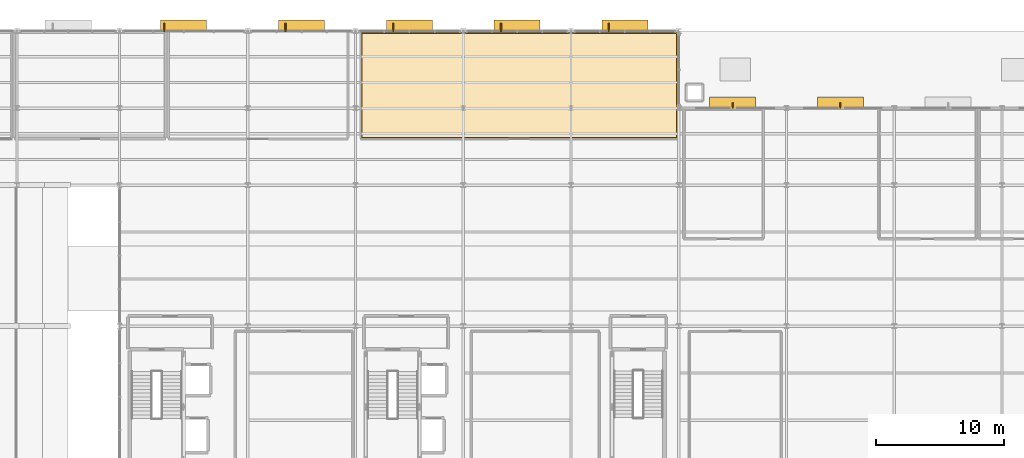
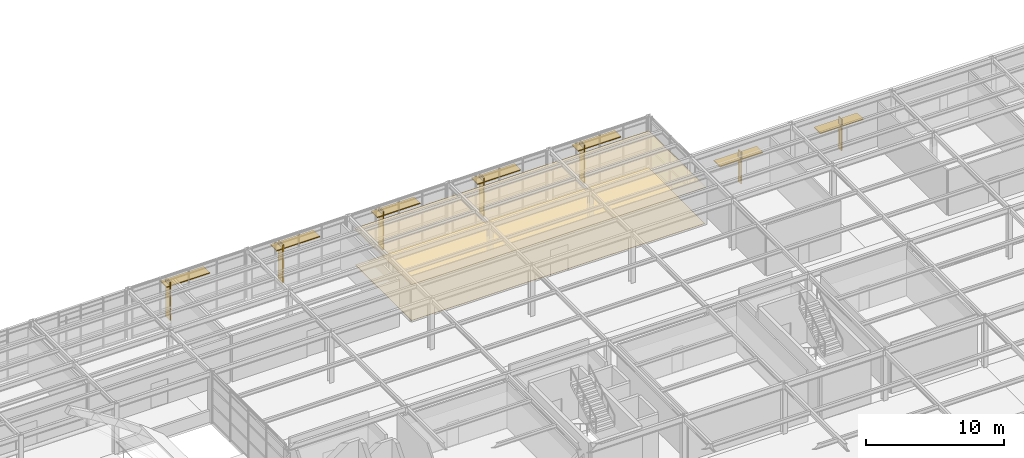
# One storey, part 80 of 82: 14 shading devices, 2 coverings.
"""IFC4 building model written with IfcOpenShell, lengths in metres."""

from ifc_helpers import new_model, si_unit, direction, frame, origin, origin_2d, place, context, subcontext, project, spatial, polyline, rectangle, outline, extrude, material, layer, layer_set, type_object, element, save


model = new_model("IFC4")

# Units and contexts
model_context = context("Model", 3, precision=1e-05, world=origin(), true_north=direction((0.0, 1.0)))
body_context = subcontext(model_context, "Body", "Model", "MODEL_VIEW")
ifc_project = project(units=[si_unit("LENGTHUNIT", "METRE"), si_unit("AREAUNIT", "SQUARE_METRE"), si_unit("VOLUMEUNIT", "CUBIC_METRE"), si_unit("PLANEANGLEUNIT", "RADIAN"), si_unit("MASSUNIT", "GRAM", prefix="KILO")], contexts=[model_context])

# Site, building, storey
site_placement = place(None, origin())
site = spatial("IfcSite", under=ifc_project, at=site_placement, CompositionType="ELEMENT")
building_placement = place(site_placement, origin())
building = spatial("IfcBuilding", under=site, at=building_placement, Name="Sitalva Quay Ferry Terminal", CompositionType="ELEMENT")
storey_placement = place(building_placement, frame((0.0, 0.0, 5.39990234375)))
storey = spatial("IfcBuildingStorey", under=building, at=storey_placement, Name="L02", CompositionType="ELEMENT", Elevation=5.39990234375)

# Coverings
ifc_material_1 = material(Name="Perforated Marine Aluminium Acoustic Ceiling", Category="aluminium")
ifc_layer_1 = layer(ifc_material_1, 0.0400390625)
ifc_layer_set_1 = layer_set([ifc_layer_1], Name="Perforated Marine Aluminium Acoustic Ceiling")
covering_type_1 = type_object("IfcCoveringType", Name="Ceiling_AcousticBaffle_40", PredefinedType="CEILING", material=ifc_layer_set_1)
covering_1_placement = place(storey_placement, frame((0.0, 0.0, 3.210205078125)))
element("IfcCovering", 1, at=covering_1_placement, inside=storey, type_object=covering_type_1, Name="Executive Business & Ferry Club Lounge ceiling", PredefinedType="CEILING", context=body_context, shape_type="SweptSolid", body=[
    extrude(outline(polyline([(92.85009765625, 103.64990234375), (117.47998046875, 103.64990234375), (117.47998046875, 111.8798828125), (92.85009765625, 111.8798828125), (92.85009765625, 103.64990234375)])), origin(), (0.0, 0.0, 1.0), 0.039794921875),
])
ifc_material_2 = material(Name="Polished River-Stone Terrazzo", Category="masonry")
ifc_layer_2 = layer(ifc_material_2, 0.030029296875)
ifc_layer_set_2 = layer_set([ifc_layer_2], Name="Polished River-Stone Terrazzo")
covering_type_2 = type_object("IfcCoveringType", Name="Finish_Terrazzo_30", PredefinedType="FLOORING", material=ifc_layer_set_2)
covering_2_placement = place(storey_placement, origin())
element("IfcCovering", 2, at=covering_2_placement, inside=storey, type_object=covering_type_2, Name="Executive Business & Ferry Club Lounge floor finish", PredefinedType="FLOORING", context=body_context, shape_type="SweptSolid", body=[
    extrude(outline(polyline([(92.89990234375, 103.699951171875), (117.429931640625, 103.699951171875), (117.429931640625, 111.830078125), (92.89990234375, 111.830078125), (92.89990234375, 103.699951171875)])), origin(), (0.0, 0.0, 1.0), 0.030029296875),
])

# Shading devices
ifc_material_3 = material(Name="Anodised Marine Aluminium 6063-T6", Category="aluminium")
shading_device_type_1 = type_object("IfcShadingDeviceType", Name="Shade_HorizontalLouvre_900", PredefinedType="USERDEFINED", material=ifc_material_3)
for number, where, z_axis, x_axis, name in (
    (3, (79.0, 112.419921875, 3.40771484375), (0.0, 0.0, 1.0), (1.0, 0.0, 0.0), "Monsoon sunshade canopy BS-061"),
    (4, (88.199951171875, 112.419921875, 3.40771484375), (0.0, 0.0, 1.0), (1.0, 0.0, 0.0), "Monsoon sunshade canopy BS-063"),
    (5, (96.60009765625, 112.419921875, 3.40771484375), (0.0, 0.0, 1.0), (1.0, 0.0, 0.0), "Monsoon sunshade canopy BS-065"),
    (6, (105.0, 112.419921875, 3.40771484375), (0.0, 0.0, 1.0), (1.0, 0.0, 0.0), "Monsoon sunshade canopy BS-067"),
    (7, (113.39990234375, 112.419921875, 3.40771484375), (0.0, 0.0, 1.0), (1.0, 0.0, 0.0), "Monsoon sunshade canopy BS-069"),
    (8, (121.800048828125, 106.419921875, 2.70751953125), (0.0, 0.0, 1.0), (1.0, 0.0, 0.0), "Monsoon sunshade canopy BS-071"),
    (9, (130.199951171875, 106.419921875, 2.70751953125), (0.0, 0.0, 1.0), (1.0, 0.0, 0.0), "Monsoon sunshade canopy BS-073"),
):
    element("IfcShadingDevice", number, at=place(storey_placement, frame(where, z_axis=z_axis, x_axis=x_axis)), inside=storey, type_object=shading_device_type_1, Name=name, ObjectType="SUNSHADE", PredefinedType="USERDEFINED", context=body_context, shape_type="SweptSolid", body=[
        extrude(rectangle(XDim=3.60009765625, YDim=0.89990234375, at=origin_2d()), origin(), (0.0, 0.0, 1.0), 0.0849609375),
    ])
ifc_material_4 = material(Name="Anodised Marine Aluminium 6063-T6", Category="aluminium")
shading_device_type_2 = type_object("IfcShadingDeviceType", Name="Shade_VerticalFin_450", PredefinedType="JALOUSIE", material=ifc_material_4)
for number, where, z_axis, x_axis, name in (
    (10, (121.800048828125, 106.195068359375, 0.60009765625), (0.0, 0.0, 1.0), (1.0, 0.0, 0.0), "Vertical monsoon fin BS-072"),
    (11, (130.199951171875, 106.195068359375, 0.60009765625), (0.0, 0.0, 1.0), (1.0, 0.0, 0.0), "Vertical monsoon fin BS-074"),
):
    element("IfcShadingDevice", number, at=place(storey_placement, frame(where, z_axis=z_axis, x_axis=x_axis)), inside=storey, type_object=shading_device_type_2, Name=name, PredefinedType="JALOUSIE", context=body_context, shape_type="SweptSolid", body=[
        extrude(rectangle(XDim=0.080078125, YDim=0.449951171875, at=origin_2d()), origin(), (0.0, 0.0, 1.0), 2.800048828125),
    ])
ifc_material_5 = material(Name="Anodised Marine Aluminium 6063-T6", Category="aluminium")
shading_device_type_3 = type_object("IfcShadingDeviceType", Name="Shade_VerticalFin_650", PredefinedType="JALOUSIE", material=ifc_material_5)
for number, where, z_axis, x_axis, name in (
    (12, (77.5, 112.294921875, 0.400146484375), (0.0, 0.0, 1.0), (1.0, 0.0, 0.0), "Vertical monsoon fin BS-062"),
    (13, (86.93994140625, 112.294921875, 0.400146484375), (0.0, 0.0, 1.0), (1.0, 0.0, 0.0), "Vertical monsoon fin BS-064"),
    (14, (95.340087890625, 112.294921875, 0.400146484375), (0.0, 0.0, 1.0), (1.0, 0.0, 0.0), "Vertical monsoon fin BS-066"),
    (15, (103.739990234375, 112.294921875, 0.400146484375), (0.0, 0.0, 1.0), (1.0, 0.0, 0.0), "Vertical monsoon fin BS-068"),
    (16, (112.139892578125, 112.294921875, 0.400146484375), (0.0, 0.0, 1.0), (1.0, 0.0, 0.0), "Vertical monsoon fin BS-070"),
):
    element("IfcShadingDevice", number, at=place(storey_placement, frame(where, z_axis=z_axis, x_axis=x_axis)), inside=storey, type_object=shading_device_type_3, Name=name, PredefinedType="JALOUSIE", context=body_context, shape_type="SweptSolid", body=[
        extrude(rectangle(XDim=0.090087890625, YDim=0.64990234375, at=origin_2d()), origin(), (0.0, 0.0, 1.0), 3.39990234375),
    ])

save(model, "model.ifc")
